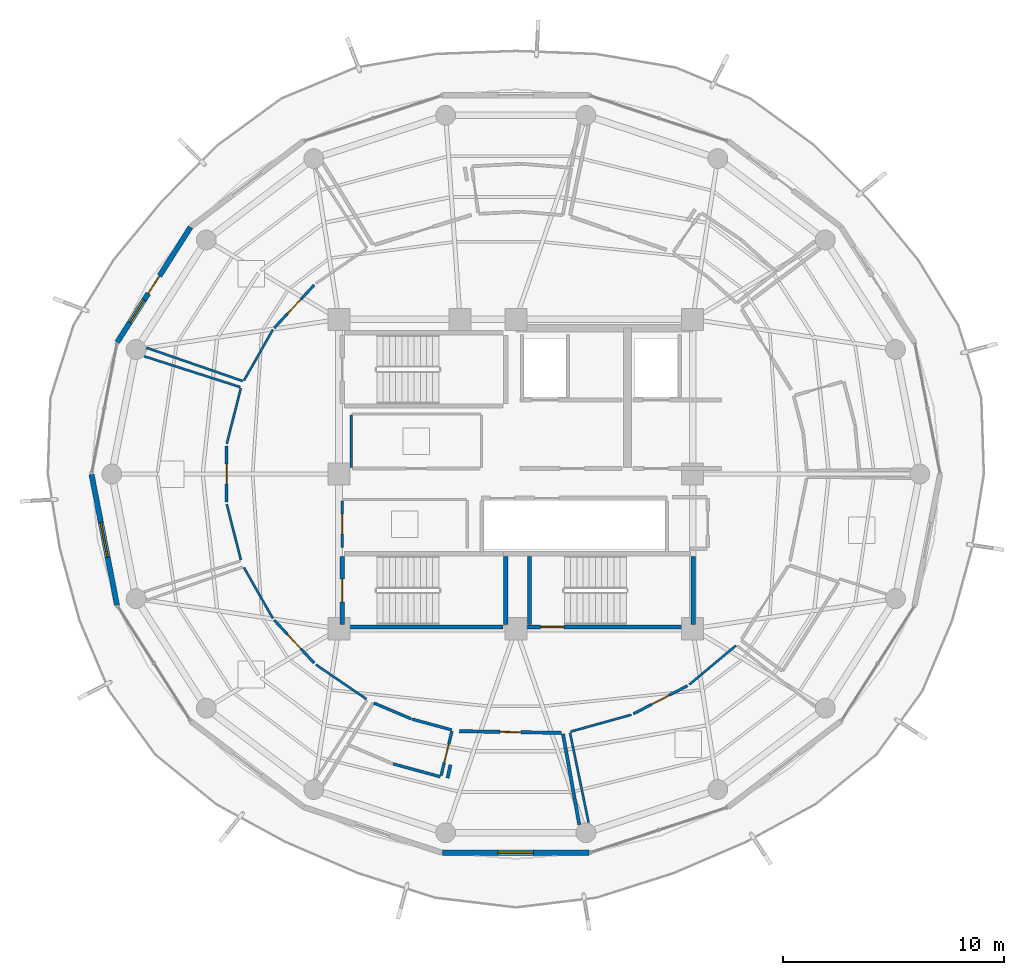
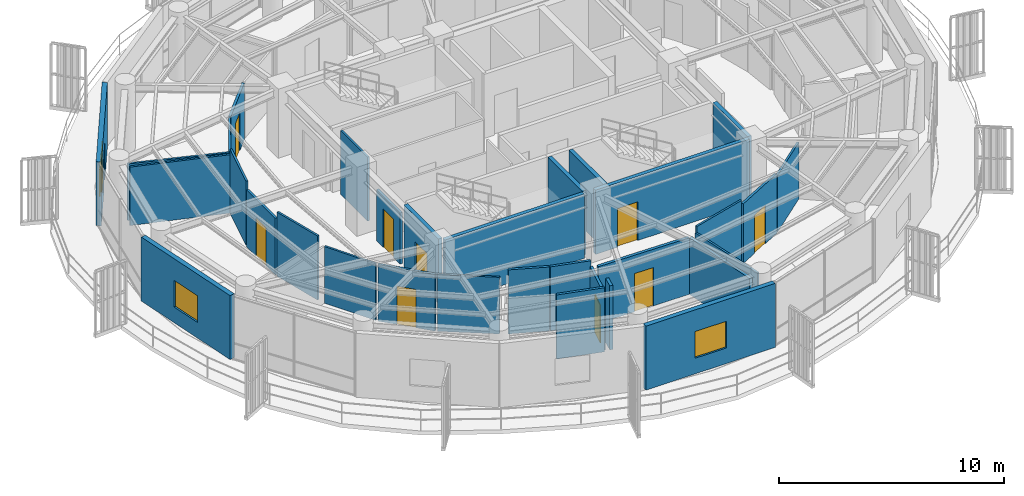
# One storey, part 16 of 23: 32 walls, 10 doors, 3 windows, 13 openings.
"""IFC4 building model written with IfcOpenShell, lengths in metres."""

import ifcopenshell
import ifcopenshell.guid

model = None  # the IFC model being written
_history = None  # IfcOwnerHistory: only IFC2X3 demands one
_inside = {}  # id of a spatial element -> (the spatial element, [elements in it])
_under = {}  # id of a project, library or spatial element -> (it, [spatial elements below it])
_declared = {}  # id of a project -> (the project, [libraries it declares])
_typed = {}  # id of a type object -> (the type object, [elements of that type])
_made_of = {}  # id of a material, layer set ... -> (it, [elements and type objects made of it])


def new_model(schema):
    """Start an empty IFC model of exactly this schema.

    Asked for "IFC4X3", IfcOpenShell would pick the latest addendum, in which some entities
    have other attributes; the version numbers below select the first issue.
    IFC2X3 requires an IfcOwnerHistory on every rooted entity: one is made here for all.
    """
    global model, _history
    if schema == "IFC4X3":
        model = ifcopenshell.file(schema_version=(4, 3, 0, 0))
    else:
        model = ifcopenshell.file(schema=schema)
    _inside.clear()
    _under.clear()
    _declared.clear()
    _typed.clear()
    _made_of.clear()
    _history = None
    if model.schema == "IFC2X3":
        org = make("IfcOrganization", Name="unknown")
        user = make(
            "IfcPersonAndOrganization",
            ThePerson=make("IfcPerson", FamilyName="unknown"),
            TheOrganization=org,
        )
        app = make(
            "IfcApplication",
            ApplicationDeveloper=org,
            Version="unknown",
            ApplicationFullName="unknown",
            ApplicationIdentifier="unknown",
        )
        _history = make(
            "IfcOwnerHistory",
            OwningUser=user,
            OwningApplication=app,
            ChangeAction="ADDED",
            CreationDate=0,
        )
    return model


def make(cls, **values):
    """One entity of the class cls with the attributes given. An attribute that is None is left unset."""
    return model.create_entity(
        cls, **{name: value for name, value in values.items() if value is not None}
    )


def rooted(cls, **values):
    """An entity with a GlobalId (a new one), such as an element, a storey or a relation."""
    return make(cls, GlobalId=ifcopenshell.guid.new(), OwnerHistory=_history, **values)


def si_unit(unit_type, name, prefix=None):
    """IfcSIUnit, for example si_unit("LENGTHUNIT", "METRE", prefix="MILLI")."""
    return make("IfcSIUnit", UnitType=unit_type, Prefix=prefix, Name=name)


def assignment(units):
    """IfcUnitAssignment: the units of a project."""
    return None if units is None else make("IfcUnitAssignment", Units=units)


def point(xyz):
    """IfcCartesianPoint."""
    return None if xyz is None else make("IfcCartesianPoint", Coordinates=xyz)


def direction(xyz):
    """IfcDirection."""
    return None if xyz is None else make("IfcDirection", DirectionRatios=xyz)


def frame(location, z_axis=None, x_axis=None):
    """IfcAxis2Placement3D, a coordinate frame: its origin and axes. An axis left out is left unset."""
    return make(
        "IfcAxis2Placement3D",
        Location=point(location),
        Axis=direction(z_axis),
        RefDirection=direction(x_axis),
    )


def frame_2d(location, x_axis=None):
    """IfcAxis2Placement2D, a coordinate frame in the plane: its origin and x axis."""
    return make(
        "IfcAxis2Placement2D", Location=point(location), RefDirection=direction(x_axis)
    )


def origin():
    """The frame at (0, 0, 0) with its axes left unset."""
    return frame((0.0, 0.0, 0.0))


def place(relative_to, where):
    """IfcLocalPlacement: puts the frame where relative to a parent placement (None: the world)."""
    return make(
        "IfcLocalPlacement", PlacementRelTo=relative_to, RelativePlacement=where
    )


def context(
    kind, dimensions, precision=None, world=None, true_north=None, identifier=None
):
    """IfcGeometricRepresentationContext, for example the 3D "Model" context."""
    return make(
        "IfcGeometricRepresentationContext",
        ContextIdentifier=identifier,
        ContextType=kind,
        CoordinateSpaceDimension=dimensions,
        Precision=precision,
        WorldCoordinateSystem=world,
        TrueNorth=true_north,
    )


def subcontext(parent, identifier, kind, view, scale=None):
    """IfcGeometricRepresentationSubContext, for example "Body" below "Model"."""
    return make(
        "IfcGeometricRepresentationSubContext",
        ContextIdentifier=identifier,
        ContextType=kind,
        ParentContext=parent,
        TargetScale=scale,
        TargetView=view,
    )


def project(units=None, contexts=None):
    """IfcProject with its units and contexts."""
    return rooted(
        "IfcProject",
        Name="project",
        RepresentationContexts=contexts,
        UnitsInContext=assignment(units),
    )


def spatial(cls, under=None, at=None, **own):
    """A site, building, storey or space (cls), placed at a placement, below another one or the project."""
    s = rooted(cls, ObjectPlacement=at, **own)
    if under is not None:
        _under.setdefault(under.id(), (under, []))[1].append(s)
    return s


def profile(cls, at=None, kind="AREA", **sizes):
    """A parametric profile (cls). Its sizes go by their IFC names, for example OverallWidth=200.0."""
    return make(cls, ProfileType=kind, Position=at, **sizes)


def rectangle(**sizes):
    """IfcRectangleProfileDef."""
    return profile("IfcRectangleProfileDef", **sizes)


def extrude(swept, where, along, depth):
    """IfcExtrudedAreaSolid: the profile swept, set in the frame where, extruded along a direction by depth."""
    return make(
        "IfcExtrudedAreaSolid",
        SweptArea=swept,
        Position=where,
        ExtrudedDirection=direction(along),
        Depth=depth,
    )


def shape(context_of_items, identifier, shape_type, items):
    """IfcShapeRepresentation: the items that make up one representation, for example the "Body"."""
    return make(
        "IfcShapeRepresentation",
        ContextOfItems=context_of_items,
        RepresentationIdentifier=identifier,
        RepresentationType=shape_type,
        Items=items,
    )


def material(Name=None, Category=None):
    """IfcMaterial."""
    return make("IfcMaterial", Name=Name, Category=Category)


def layer(
    of_material, thickness, ventilated=None, Name=None, Category=None, Priority=None
):
    """IfcMaterialLayer: one layer of a wall or slab, of a material (None: an air gap)."""
    return make(
        "IfcMaterialLayer",
        Material=of_material,
        LayerThickness=thickness,
        IsVentilated=ventilated,
        Name=Name,
        Category=Category,
        Priority=Priority,
    )


def layer_set(layers, Name=None):
    """IfcMaterialLayerSet."""
    return make("IfcMaterialLayerSet", MaterialLayers=layers, LayerSetName=Name)


def made_of(thing, what):
    """Note that an element or type object is made of a material, layer set ...; save() writes the relation."""
    if what is not None:
        _made_of.setdefault(what.id(), (what, []))[1].append(thing)
    return thing


def type_object(cls, material=None, **own):
    """A type object (cls), such as IfcWallType, which elements share."""
    return made_of(rooted(cls, **own), material)


def element(
    cls,
    number,
    at=None,
    inside=None,
    cuts=None,
    type_object=None,
    material=None,
    context=None,
    identifier="Body",
    shape_type=None,
    held_by="IfcProductDefinitionShape",
    body=None,
    shapes=None,
    **own,
):
    """One element of the class cls, such as IfcWall. Its Tag is "e" and its number.

    at: its placement. inside: the storey or other place that contains it. cuts: it is an
    opening in that element (IfcRelVoidsElement). A single representation is given by context,
    identifier, shape_type and body (its items); several are given by shapes. held_by: the class
    of the entity that holds the representations. save() writes the other relations.
    """
    e = rooted(cls, Tag="e%d" % number, ObjectPlacement=at, **own)
    if body is not None:
        shapes = [shape(context, identifier, shape_type, body)]
    if shapes is not None:
        e.Representation = make(held_by, Representations=shapes)
    if inside is not None:
        _inside.setdefault(inside.id(), (inside, []))[1].append(e)
    if cuts is not None:
        rooted(
            "IfcRelVoidsElement", RelatingBuildingElement=cuts, RelatedOpeningElement=e
        )
    if type_object is not None:
        _typed.setdefault(type_object.id(), (type_object, []))[1].append(e)
    return made_of(e, material)


def fill(opening, filler):
    """IfcRelFillsElement: the door or window that sits in an opening."""
    return rooted(
        "IfcRelFillsElement",
        RelatingOpeningElement=opening,
        RelatedBuildingElement=filler,
    )


def aggregate(whole, parts):
    """IfcRelAggregates: a whole, such as a stair, and the parts it consists of."""
    return rooted("IfcRelAggregates", RelatingObject=whole, RelatedObjects=parts)


def save(model, path):
    """Write the relations noted so far, then the file.

    IfcRelAggregates (storeys below a building ...), IfcRelContainedInSpatialStructure (elements
    in a storey), IfcRelDefinesByType, IfcRelAssociatesMaterial and IfcRelDeclares: one each for
    every whole, place, type object, material and project.
    """
    for whole, parts in _under.values():
        aggregate(whole, parts)
    for where, things in _inside.values():
        rooted(
            "IfcRelContainedInSpatialStructure",
            RelatedElements=things,
            RelatingStructure=where,
        )
    for kind, things in _typed.values():
        rooted("IfcRelDefinesByType", RelatedObjects=things, RelatingType=kind)
    for what, things in _made_of.values():
        rooted("IfcRelAssociatesMaterial", RelatedObjects=things, RelatingMaterial=what)
    for by, libraries in _declared.values():
        rooted("IfcRelDeclares", RelatingContext=by, RelatedDefinitions=libraries)
    model.write(path)


model = new_model("IFC4")

# Units and contexts
model_context = context("Model", 3, precision=1e-05, world=origin(), true_north=direction((0.0, 1.0)))
body_context = subcontext(model_context, "Body", "Model", "MODEL_VIEW")
ifc_project = project(units=[si_unit("LENGTHUNIT", "METRE"), si_unit("AREAUNIT", "SQUARE_METRE"), si_unit("VOLUMEUNIT", "CUBIC_METRE"), si_unit("PLANEANGLEUNIT", "RADIAN"), si_unit("MASSUNIT", "GRAM", prefix="KILO")], contexts=[model_context])

# Site, building, storey
site_placement = place(None, origin())
site = spatial("IfcSite", under=ifc_project, at=site_placement, CompositionType="ELEMENT")
building_placement = place(site_placement, origin())
building = spatial("IfcBuilding", under=site, at=building_placement, Name="Kelanora Arch Commons", CompositionType="ELEMENT")
storey_placement = place(building_placement, frame((0.0, 0.0, 256.199951171875)))
storey = spatial("IfcBuildingStorey", under=building, at=storey_placement, Name="L65", CompositionType="ELEMENT", Elevation=256.199951171875)

# Wall, opening, door
ifc_material_1 = material(Name="Autoclaved aerated concrete blockwork with fire plaster", Category="masonry")
ifc_layer_1 = layer(ifc_material_1, 0.14990234375)
ifc_layer_set_1 = layer_set([ifc_layer_1], Name="Autoclaved aerated concrete blockwork with fire plaster")
wall_type_1 = type_object("IfcWallType", Name="W-COMP-150", PredefinedType="PARTITIONING", material=ifc_layer_set_1)
wall_1_placement = place(storey_placement, frame((71.44189453125, 46.365966796875, 0.0), z_axis=(0.0, 0.0, 1.0), x_axis=(0.99985475278, -0.017043278545, 0.0)))
wall_1 = element("IfcWall", 1, at=wall_1_placement, inside=storey, type_object=wall_type_1, Name="Co-Living Studio L65-07 Entry Partition", PredefinedType="PARTITIONING", context=body_context, shape_type="SweptSolid", body=[
    extrude(rectangle(XDim=4.626953125, YDim=0.14990234375, at=frame_2d((2.3134765625, 0.0))), origin(), (0.0, 0.0, 1.0), 3.074951171875),
])
opening_1_placement = place(wall_1_placement, frame((1.837890625, 0.0, 0.0)))
opening_1 = element("IfcOpeningElement", 2, at=opening_1_placement, cuts=wall_1, Name="Opening D-CLU1", PredefinedType="OPENING", context=body_context, shape_type="SweptSolid", body=[
    extrude(rectangle(XDim=0.949951171875, YDim=2.080078125, at=frame_2d((0.47509765625, 1.0400390625))), frame((0.0, 0.0849609375, 0.0), z_axis=(0.0, -1.0, 0.0), x_axis=(1.0, 0.0, 0.0)), (0.0, 0.0, 1.0), 0.169921875),
])
ifc_material_2 = material(Name="Solid-core acoustic timber cluster entry fire door", Category="wood")
door_type_1 = type_object("IfcDoorType", Name="D-CLU-95", OperationType="NOTDEFINED", PredefinedType="DOOR", material=ifc_material_2)
door_1_placement = place(opening_1_placement, origin())
door_1 = element("IfcDoor", 3, at=door_1_placement, inside=storey, type_object=door_type_1, Name="Co-Living Studio L65-07 Door", OperationType="SINGLE_SWING_RIGHT", OverallHeight=2.080078125, OverallWidth=0.949951171875, PredefinedType="DOOR", context=body_context, shape_type="SweptSolid", body=[
    extrude(rectangle(XDim=0.949951171875, YDim=2.080078125, at=frame_2d((0.47509765625, 1.0400390625))), frame((0.0, 0.02490234375, 0.0), z_axis=(0.0, -1.0, 0.0), x_axis=(1.0, 0.0, 0.0)), (0.0, 0.0, 1.0), 0.050048828125),
])
fill(opening_1, door_1)

# Walls
wall_2_placement = place(storey_placement, frame((76.135009765625, 46.24658203125, 0.0), z_axis=(0.0, 0.0, 1.0), x_axis=(0.176199339585, -0.984354505618, 0.0)))
element("IfcWall", 4, at=wall_2_placement, inside=storey, type_object=wall_type_1, Name="Co-Living Studio L65-07 Enclosure Partition 2", PredefinedType="PARTITIONING", context=body_context, shape_type="SweptSolid", body=[
    extrude(rectangle(XDim=4.17626953125, YDim=0.14990234375, at=frame_2d((2.088134765625, 0.0))), origin(), (0.0, 0.0, 1.0), 3.074951171875),
])
wall_3_placement = place(storey_placement, frame((70.91064453125, 44.239990234375, 0.0), z_axis=(0.0, 0.0, 1.0), x_axis=(0.216216290924, 0.976345489844, 0.0)))
element("IfcWall", 5, at=wall_3_placement, inside=storey, type_object=wall_type_1, Name="Co-Living Studio L65-07 Enclosure Partition 7", PredefinedType="PARTITIONING", context=body_context, shape_type="SweptSolid", body=[
    extrude(rectangle(XDim=0.615478515625, YDim=0.14990234375, at=frame_2d((0.3076171875, 0.0))), origin(), (0.0, 0.0, 1.0), 3.47998046875),
])

# Wall, openings, door, window
ifc_material_3 = material(Name="Precast concrete C40/50 upper-zone terracotta rainscreen", Category="masonry")
ifc_layer_2 = layer(ifc_material_3, 0.239990234375)
ifc_layer_set_2 = layer_set([ifc_layer_2], Name="Precast concrete C40/50 upper-zone terracotta rainscreen")
wall_type_2 = type_object("IfcWallType", Name="W-EXT-TC2", PredefinedType="SOLIDWALL", material=ifc_layer_set_2)
wall_4_placement = place(storey_placement, frame((59.28369140625, 69.171875, 0.0), z_axis=(0.0, 0.0, 1.0), x_axis=(-0.537271968456, -0.843409053728, 0.0)))
wall_4 = element("IfcWall", 6, at=wall_4_placement, inside=storey, type_object=wall_type_2, Name="Terracotta Exterior Wall L65-B07", PredefinedType="SOLIDWALL", context=body_context, shape_type="SweptSolid", body=[
    extrude(rectangle(XDim=6.175048828125, YDim=0.239990234375, at=frame_2d((3.08740234375, 0.0))), origin(), (0.0, 0.0, 1.0), 3.47509765625),
])
opening_2_placement = place(wall_4_placement, frame((2.613037109375, 0.0, 0.0)))
opening_2 = element("IfcOpeningElement", 7, at=opening_2_placement, cuts=wall_4, Name="Opening DB-01", PredefinedType="OPENING", context=body_context, shape_type="SweptSolid", body=[
    extrude(rectangle(XDim=0.949951171875, YDim=2.10009765625, at=frame_2d((0.47509765625, 1.050048828125))), frame((0.0, 0.1298828125, 0.0), z_axis=(0.0, -1.0, 0.0), x_axis=(1.0, 0.0, 0.0)), (0.0, 0.0, 1.0), 0.260009765625),
])
opening_3_placement = place(wall_4_placement, frame((3.9130859375, 0.0, 0.85009765625)))
opening_3 = element("IfcOpeningElement", 8, at=opening_3_placement, cuts=wall_4, Name="Opening WN-02", PredefinedType="OPENING", context=body_context, shape_type="SweptSolid", body=[
    extrude(rectangle(XDim=1.199951171875, YDim=1.449951171875, at=frame_2d((0.60009765625, 0.72509765625))), frame((0.0, 0.1298828125, 0.0), z_axis=(0.0, -1.0, 0.0), x_axis=(1.0, 0.0, 0.0)), (0.0, 0.0, 1.0), 0.260009765625),
])
ifc_material_4 = material(Name="Terracotta-aluminium thermally broken glazed balcony door", Category="masonry")
door_type_2 = type_object("IfcDoorType", Name="D-BAL-10", OperationType="NOTDEFINED", PredefinedType="DOOR", material=ifc_material_4)
door_2_placement = place(opening_2_placement, frame((0.949951171875, 0.0, 0.0), z_axis=(0.0, 0.0, 1.0), x_axis=(-1.0, 0.0, 0.0)))
door_2 = element("IfcDoor", 9, at=door_2_placement, inside=storey, type_object=door_type_2, Name="Wave Balcony Door L65-B07", OperationType="SINGLE_SWING_LEFT", OverallHeight=2.10009765625, OverallWidth=0.949951171875, PredefinedType="DOOR", context=body_context, shape_type="SweptSolid", body=[
    extrude(rectangle(XDim=0.949951171875, YDim=2.10009765625, at=frame_2d((0.47509765625, 1.050048828125))), frame((0.0, 0.02490234375, 0.0), z_axis=(0.0, -1.0, 0.0), x_axis=(1.0, 0.0, 0.0)), (0.0, 0.0, 1.0), 0.050048828125),
])
fill(opening_2, door_2)
ifc_material_5 = material(Name="Terracotta-anodised aluminium frame with operable awning sash", Category="masonry")
window_type_1 = type_object("IfcWindowType", Name="WIN-CL-12", PartitioningType="SINGLE_PANEL", PredefinedType="WINDOW", material=ifc_material_5)
window_1_placement = place(opening_3_placement, origin())
window_1 = element("IfcWindow", 10, at=window_1_placement, inside=storey, type_object=window_type_1, Name="Co-Living Operable Window L65-B07", OverallHeight=1.449951171875, OverallWidth=1.199951171875, PartitioningType="SINGLE_PANEL", PredefinedType="WINDOW", context=body_context, shape_type="SweptSolid", body=[
    extrude(rectangle(XDim=1.199951171875, YDim=1.449951171875, at=frame_2d((0.60009765625, 0.72509765625))), frame((0.0, 0.030029296875, 0.0), z_axis=(0.0, -1.0, 0.0), x_axis=(1.0, 0.0, 0.0)), (0.0, 0.0, 1.0), 0.06005859375),
])
fill(opening_3, window_1)

# Wall, opening, window
wall_5_placement = place(storey_placement, frame((54.802978515625, 57.9853515625, 0.0), z_axis=(0.0, 0.0, 1.0), x_axis=(0.190969309115, -0.981596008028, 0.0)))
wall_5 = element("IfcWall", 11, at=wall_5_placement, inside=storey, type_object=wall_type_2, Name="Terracotta Exterior Wall L65-B09", PredefinedType="SOLIDWALL", context=body_context, shape_type="SweptSolid", body=[
    extrude(rectangle(XDim=6.032958984375, YDim=0.239990234375, at=frame_2d((3.0166015625, 0.0))), origin(), (0.0, 0.0, 1.0), 3.47509765625),
])
opening_4_placement = place(wall_5_placement, frame((2.216064453125, 0.0, 0.85009765625)))
opening_4 = element("IfcOpeningElement", 12, at=opening_4_placement, cuts=wall_5, Name="Opening WN-01", PredefinedType="OPENING", context=body_context, shape_type="SweptSolid", body=[
    extrude(rectangle(XDim=1.60009765625, YDim=1.449951171875, at=frame_2d((0.800048828125, 0.72509765625))), frame((0.0, 0.1298828125, 0.0), z_axis=(0.0, -1.0, 0.0), x_axis=(1.0, 0.0, 0.0)), (0.0, 0.0, 1.0), 0.260009765625),
])
ifc_material_6 = material(Name="Terracotta-anodised aluminium frame with operable low-E glazing", Category="masonry")
window_type_2 = type_object("IfcWindowType", Name="WIN-CL-18", PartitioningType="DOUBLE_PANEL_VERTICAL", PredefinedType="WINDOW", material=ifc_material_6)
window_2_placement = place(opening_4_placement, origin())
window_2 = element("IfcWindow", 13, at=window_2_placement, inside=storey, type_object=window_type_2, Name="Co-Living Operable Window L65-B09", OverallHeight=1.449951171875, OverallWidth=1.60009765625, PartitioningType="SINGLE_PANEL", PredefinedType="WINDOW", context=body_context, shape_type="SweptSolid", body=[
    extrude(rectangle(XDim=1.60009765625, YDim=1.449951171875, at=frame_2d((0.800048828125, 0.72509765625))), frame((0.0, 0.030029296875, 0.0), z_axis=(0.0, -1.0, 0.0), x_axis=(1.0, 0.0, 0.0)), (0.0, 0.0, 1.0), 0.06005859375),
])
fill(opening_4, window_2)

wall_6_placement = place(storey_placement, frame((70.680908203125, 40.8642578125, 0.0), z_axis=(0.0, 0.0, 1.0), x_axis=(1.0, 0.0, 0.0)))
wall_6 = element("IfcWall", 14, at=wall_6_placement, inside=storey, type_object=wall_type_2, Name="Terracotta Exterior Wall L65-B13", PredefinedType="SOLIDWALL", context=body_context, shape_type="SweptSolid", body=[
    extrude(rectangle(XDim=6.63818359375, YDim=0.239990234375, at=frame_2d((3.319091796875, 0.0))), origin(), (0.0, 0.0, 1.0), 3.47509765625),
])
opening_5_placement = place(wall_6_placement, frame((2.51904296875, 0.0, 0.85009765625)))
opening_5 = element("IfcOpeningElement", 15, at=opening_5_placement, cuts=wall_6, Name="Opening WN-01", PredefinedType="OPENING", context=body_context, shape_type="SweptSolid", body=[
    extrude(rectangle(XDim=1.60009765625, YDim=1.449951171875, at=frame_2d((0.800048828125, 0.72509765625))), frame((0.0, 0.1298828125, 0.0), z_axis=(0.0, -1.0, 0.0), x_axis=(1.0, 0.0, 0.0)), (0.0, 0.0, 1.0), 0.260009765625),
])
window_3_placement = place(opening_5_placement, origin())
window_3 = element("IfcWindow", 16, at=window_3_placement, inside=storey, type_object=window_type_2, Name="Co-Living Operable Window L65-B13", OverallHeight=1.449951171875, OverallWidth=1.60009765625, PartitioningType="SINGLE_PANEL", PredefinedType="WINDOW", context=body_context, shape_type="SweptSolid", body=[
    extrude(rectangle(XDim=1.60009765625, YDim=1.449951171875, at=frame_2d((0.800048828125, 0.72509765625))), frame((0.0, 0.030029296875, 0.0), z_axis=(0.0, -1.0, 0.0), x_axis=(1.0, 0.0, 0.0)), (0.0, 0.0, 1.0), 0.06005859375),
])
fill(opening_5, window_3)

# Walls
ifc_material_7 = material(Name="Lightweight fire-rated acoustic stud partition")
ifc_layer_3 = layer(ifc_material_7, 0.10009765625)
ifc_layer_set_3 = layer_set([ifc_layer_3], Name="Lightweight fire-rated acoustic stud partition")
wall_type_3 = type_object("IfcWallType", Name="W-PART-100", PredefinedType="PARTITIONING", material=ifc_layer_set_3)
wall_7_placement = place(storey_placement, frame((66.550048828125, 60.679931640625, 0.0), z_axis=(0.0, 0.0, 1.0), x_axis=(0.0, -1.0, 0.0)))
element("IfcWall", 17, at=wall_7_placement, inside=storey, type_object=wall_type_3, Name="Reclaimed Core Study Pod Lounge L65 Enclosure Partition 4", PredefinedType="PARTITIONING", context=body_context, shape_type="SweptSolid", body=[
    extrude(rectangle(XDim=2.389892578125, YDim=0.10009765625, at=frame_2d((1.19482421875, 0.0))), origin(), (0.0, 0.0, 1.0), 3.47998046875),
])
wall_8_placement = place(storey_placement, frame((63.006103515625, 64.5283203125, 0.0), z_axis=(0.0, 0.0, 1.0), x_axis=(-0.494277588427, -0.869304127207, 0.0)))
element("IfcWall", 18, at=wall_8_placement, inside=storey, type_object=wall_type_3, Name="Communal Dining and Social Hall L65-04 Enclosure Partition 3", PredefinedType="PARTITIONING", context=body_context, shape_type="SweptSolid", body=[
    extrude(rectangle(XDim=2.64306640625, YDim=0.10009765625, at=frame_2d((1.321533203125, 0.0))), origin(), (0.0, 0.0, 1.0), 3.074951171875),
])
wall_9_placement = place(storey_placement, frame((61.64208984375, 62.208984375, 0.0), z_axis=(0.0, 0.0, 1.0), x_axis=(-0.945103281494, 0.326771766388, 0.0)))
element("IfcWall", 19, at=wall_9_placement, inside=storey, type_object=wall_type_3, Name="Communal Dining and Social Hall L65-04 Enclosure Partition 4", PredefinedType="PARTITIONING", context=body_context, shape_type="SweptSolid", body=[
    extrude(rectangle(XDim=4.603759765625, YDim=0.10009765625, at=frame_2d((2.3017578125, 0.0))), origin(), (0.0, 0.0, 1.0), 3.074951171875),
])
for number, where, z_axis, x_axis, name in (
    (20, (61.560302734375, 61.88427734375, 0.0), (0.0, 0.0, 1.0), (-0.245655775867, -0.969357127061, 0.0), "Social Sky Lounge L65-05 Enclosure Partition 1"),
    (21, (60.9228515625, 56.631103515625, 0.0), (0.0, 0.0, 1.0), (0.245655775867, -0.969357127061, 0.0), "Social Sky Lounge L65-05 Enclosure Partition 3"),
):
    element("IfcWall", number, at=place(storey_placement, frame(where, z_axis=z_axis, x_axis=x_axis)), inside=storey, type_object=wall_type_3, Name=name, PredefinedType="PARTITIONING", context=body_context, shape_type="SweptSolid", body=[
        extrude(rectangle(XDim=2.594970703125, YDim=0.10009765625, at=frame_2d((1.29736328125, 0.0))), origin(), (0.0, 0.0, 1.0), 3.47998046875),
    ])
wall_10_placement = place(storey_placement, frame((57.184326171875, 63.328857421875, 0.0), z_axis=(0.0, 0.0, 1.0), x_axis=(0.95227750557, -0.305233602976, 0.0)))
element("IfcWall", 22, at=wall_10_placement, inside=storey, type_object=wall_type_3, Name="Social Sky Lounge L65-05 Enclosure Partition 8", PredefinedType="PARTITIONING", context=body_context, shape_type="SweptSolid", body=[
    extrude(rectangle(XDim=4.5654296875, YDim=0.10009765625, at=frame_2d((2.28271484375, 0.0))), origin(), (0.0, 0.0, 1.0), 3.175048828125),
])
wall_11_placement = place(storey_placement, frame((61.69970703125, 53.769287109375, 0.0), z_axis=(0.0, 0.0, 1.0), x_axis=(0.494277588427, -0.869304127207, 0.0)))
element("IfcWall", 23, at=wall_11_placement, inside=storey, type_object=wall_type_3, Name="Quiet Seminar Study Room L65-06 Enclosure Partition 1", PredefinedType="PARTITIONING", context=body_context, shape_type="SweptSolid", body=[
    extrude(rectangle(XDim=2.64306640625, YDim=0.10009765625, at=frame_2d((1.321533203125, 0.0))), origin(), (0.0, 0.0, 1.0), 3.074951171875),
])
wall_12_placement = place(storey_placement, frame((64.9560546875, 49.37646484375, 0.0), z_axis=(0.0, 0.0, 1.0), x_axis=(0.826087380575, -0.563542047814, 0.0)))
element("IfcWall", 24, at=wall_12_placement, inside=storey, type_object=wall_type_3, Name="Quiet Seminar Study Room L65-06 Enclosure Partition 3", PredefinedType="PARTITIONING", context=body_context, shape_type="SweptSolid", body=[
    extrude(rectangle(XDim=2.768310546875, YDim=0.10009765625, at=frame_2d((1.38427734375, 0.0))), origin(), (0.0, 0.0, 1.0), 3.074951171875),
])
wall_13_placement = place(storey_placement, frame((76.4833984375, 46.3466796875, 0.0), z_axis=(0.0, 0.0, 1.0), x_axis=(0.963478601256, 0.267785333659, 0.0)))
element("IfcWall", 25, at=wall_13_placement, inside=storey, type_object=wall_type_3, Name="Communal Dining and Social Hall L65-08 Enclosure Partition 1", PredefinedType="PARTITIONING", context=body_context, shape_type="SweptSolid", body=[
    extrude(rectangle(XDim=2.84814453125, YDim=0.10009765625, at=frame_2d((1.424072265625, 0.0))), origin(), (0.0, 0.0, 1.0), 3.47998046875),
])
wall_14_placement = place(storey_placement, frame((81.851806640625, 48.4755859375, 0.0), z_axis=(0.0, 0.0, 1.0), x_axis=(0.767022676895, 0.641619991216, 0.0)))
element("IfcWall", 26, at=wall_14_placement, inside=storey, type_object=wall_type_3, Name="Communal Dining and Social Hall L65-08 Enclosure Partition 3", PredefinedType="PARTITIONING", context=body_context, shape_type="SweptSolid", body=[
    extrude(rectangle(XDim=2.7412109375, YDim=0.10009765625, at=frame_2d((1.37060546875, 0.0))), origin(), (0.0, 0.0, 1.0), 3.074951171875),
])
wall_15_placement = place(storey_placement, frame((77.293212890625, 42.230224609375, 0.0), z_axis=(0.0, 0.0, 1.0), x_axis=(-0.202308141573, 0.979321916355, 0.0)))
element("IfcWall", 27, at=wall_15_placement, inside=storey, type_object=wall_type_3, Name="Communal Dining and Social Hall L65-08 Enclosure Partition 8", PredefinedType="PARTITIONING", context=body_context, shape_type="SweptSolid", body=[
    extrude(rectangle(XDim=4.152587890625, YDim=0.10009765625, at=frame_2d((2.076171875, 0.0))), origin(), (0.0, 0.0, 1.0), 3.175048828125),
])

# Wall, opening, door
ifc_material_8 = material(Name="Acoustic twin-stud fire-rated gypsum partition")
ifc_layer_4 = layer(ifc_material_8, 0.1201171875)
ifc_layer_set_4 = layer_set([ifc_layer_4], Name="Acoustic twin-stud fire-rated gypsum partition")
wall_type_4 = type_object("IfcWallType", Name="W-PART-120", PredefinedType="PARTITIONING", material=ifc_layer_set_4)
wall_16_placement = place(storey_placement, frame((66.14990234375, 54.679931640625, 0.0), z_axis=(0.0, 0.0, 1.0), x_axis=(0.0, 1.0, 0.0)))
wall_16 = element("IfcWall", 28, at=wall_16_placement, inside=storey, type_object=wall_type_4, Name="Reclaimed Core High-Zone Pantry and Copy Room L65 Entry Partition", PredefinedType="PARTITIONING", context=body_context, shape_type="SweptSolid", body=[
    extrude(rectangle(XDim=2.110107421875, YDim=0.1201171875, at=frame_2d((1.05517578125, 0.0))), origin(), (0.0, 0.0, 1.0), 2.775146484375),
])
opening_6_placement = place(wall_16_placement, frame((0.60498046875, 0.0, 0.0)))
opening_6 = element("IfcOpeningElement", 29, at=opening_6_placement, cuts=wall_16, Name="Opening D-RM1", PredefinedType="OPENING", context=body_context, shape_type="SweptSolid", body=[
    extrude(rectangle(XDim=0.89990234375, YDim=2.080078125, at=frame_2d((0.449951171875, 1.0400390625))), frame((0.0, 0.070068359375, 0.0), z_axis=(0.0, -1.0, 0.0), x_axis=(1.0, 0.0, 0.0)), (0.0, 0.0, 1.0), 0.14013671875),
])
ifc_material_9 = material(Name="Acoustic fire-rated timber study and lounge door", Category="wood")
door_type_3 = type_object("IfcDoorType", Name="D-ROOM-90", OperationType="NOTDEFINED", PredefinedType="DOOR", material=ifc_material_9)
door_3_placement = place(opening_6_placement, origin())
door_3 = element("IfcDoor", 30, at=door_3_placement, inside=storey, type_object=door_type_3, Name="Reclaimed Core High-Zone Pantry and Copy Room L65 Door", OperationType="SINGLE_SWING_LEFT", OverallHeight=2.080078125, OverallWidth=0.89990234375, PredefinedType="DOOR", context=body_context, shape_type="SweptSolid", body=[
    extrude(rectangle(XDim=0.89990234375, YDim=2.080078125, at=frame_2d((0.449951171875, 1.0400390625))), frame((0.0, 0.02490234375, 0.0), z_axis=(0.0, -1.0, 0.0), x_axis=(1.0, 0.0, 0.0)), (0.0, 0.0, 1.0), 0.050048828125),
])
fill(opening_6, door_3)

wall_17_placement = place(storey_placement, frame((64.882080078125, 66.55712890625, 0.0), z_axis=(0.0, 0.0, 1.0), x_axis=(-0.681315269885, -0.731990097625, 0.0)))
wall_17 = element("IfcWall", 31, at=wall_17_placement, inside=storey, type_object=wall_type_4, Name="Communal Dining and Social Hall L65-04 Entry Partition", PredefinedType="PARTITIONING", context=body_context, shape_type="SweptSolid", body=[
    extrude(rectangle(XDim=2.664306640625, YDim=0.1201171875, at=frame_2d((1.33203125, 0.0))), origin(), (0.0, 0.0, 1.0), 3.074951171875),
])
opening_7_placement = place(wall_17_placement, frame((0.882080078125, 0.0, 0.0)))
opening_7 = element("IfcOpeningElement", 32, at=opening_7_placement, cuts=wall_17, Name="Opening D-RM1", PredefinedType="OPENING", context=body_context, shape_type="SweptSolid", body=[
    extrude(rectangle(XDim=0.89990234375, YDim=2.080078125, at=frame_2d((0.449951171875, 1.0400390625))), frame((0.0, 0.070068359375, 0.0), z_axis=(0.0, -1.0, 0.0), x_axis=(1.0, 0.0, 0.0)), (0.0, 0.0, 1.0), 0.14013671875),
])
door_4_placement = place(opening_7_placement, origin())
door_4 = element("IfcDoor", 33, at=door_4_placement, inside=storey, type_object=door_type_3, Name="Communal Dining and Social Hall L65-04 Door", OperationType="SINGLE_SWING_RIGHT", OverallHeight=2.080078125, OverallWidth=0.89990234375, PredefinedType="DOOR", context=body_context, shape_type="SweptSolid", body=[
    extrude(rectangle(XDim=0.89990234375, YDim=2.080078125, at=frame_2d((0.449951171875, 1.0400390625))), frame((0.0, 0.02490234375, 0.0), z_axis=(0.0, -1.0, 0.0), x_axis=(1.0, 0.0, 0.0)), (0.0, 0.0, 1.0), 0.050048828125),
])
fill(opening_7, door_4)

wall_18_placement = place(storey_placement, frame((60.9130859375, 59.27001953125, 0.0), z_axis=(0.0, 0.0, 1.0), x_axis=(0.0, -1.0, 0.0)))
wall_18 = element("IfcWall", 34, at=wall_18_placement, inside=storey, type_object=wall_type_4, Name="Social Sky Lounge L65-05 Entry Partition", PredefinedType="PARTITIONING", context=body_context, shape_type="SweptSolid", body=[
    extrude(rectangle(XDim=2.5400390625, YDim=0.1201171875, at=frame_2d((1.27001953125, 0.0))), origin(), (0.0, 0.0, 1.0), 3.074951171875),
])
opening_8_placement = place(wall_18_placement, frame((0.820068359375, 0.0, 0.0)))
opening_8 = element("IfcOpeningElement", 35, at=opening_8_placement, cuts=wall_18, Name="Opening D-RM1", PredefinedType="OPENING", context=body_context, shape_type="SweptSolid", body=[
    extrude(rectangle(XDim=0.89990234375, YDim=2.080078125, at=frame_2d((0.449951171875, 1.0400390625))), frame((0.0, 0.070068359375, 0.0), z_axis=(0.0, -1.0, 0.0), x_axis=(1.0, 0.0, 0.0)), (0.0, 0.0, 1.0), 0.14013671875),
])
door_5_placement = place(opening_8_placement, origin())
door_5 = element("IfcDoor", 36, at=door_5_placement, inside=storey, type_object=door_type_3, Name="Social Sky Lounge L65-05 Door", OperationType="SINGLE_SWING_LEFT", OverallHeight=2.080078125, OverallWidth=0.89990234375, PredefinedType="DOOR", context=body_context, shape_type="SweptSolid", body=[
    extrude(rectangle(XDim=0.89990234375, YDim=2.080078125, at=frame_2d((0.449951171875, 1.0400390625))), frame((0.0, 0.02490234375, 0.0), z_axis=(0.0, -1.0, 0.0), x_axis=(1.0, 0.0, 0.0)), (0.0, 0.0, 1.0), 0.050048828125),
])
fill(opening_8, door_5)

wall_19_placement = place(storey_placement, frame((63.06689453125, 51.39306640625, 0.0), z_axis=(0.0, 0.0, 1.0), x_axis=(0.681315269885, -0.731990097625, 0.0)))
wall_19 = element("IfcWall", 37, at=wall_19_placement, inside=storey, type_object=wall_type_4, Name="Quiet Seminar Study Room L65-06 Entry Partition", PredefinedType="PARTITIONING", context=body_context, shape_type="SweptSolid", body=[
    extrude(rectangle(XDim=2.664306640625, YDim=0.1201171875, at=frame_2d((1.33203125, 0.0))), origin(), (0.0, 0.0, 1.0), 3.074951171875),
])
opening_9_placement = place(wall_19_placement, frame((0.882080078125, 0.0, 0.0)))
opening_9 = element("IfcOpeningElement", 38, at=opening_9_placement, cuts=wall_19, Name="Opening D-RM1", PredefinedType="OPENING", context=body_context, shape_type="SweptSolid", body=[
    extrude(rectangle(XDim=0.89990234375, YDim=2.080078125, at=frame_2d((0.449951171875, 1.0400390625))), frame((0.0, 0.070068359375, 0.0), z_axis=(0.0, -1.0, 0.0), x_axis=(1.0, 0.0, 0.0)), (0.0, 0.0, 1.0), 0.14013671875),
])
door_6_placement = place(opening_9_placement, origin())
door_6 = element("IfcDoor", 39, at=door_6_placement, inside=storey, type_object=door_type_3, Name="Quiet Seminar Study Room L65-06 Door", OperationType="SINGLE_SWING_RIGHT", OverallHeight=2.080078125, OverallWidth=0.89990234375, PredefinedType="DOOR", context=body_context, shape_type="SweptSolid", body=[
    extrude(rectangle(XDim=0.89990234375, YDim=2.080078125, at=frame_2d((0.449951171875, 1.0400390625))), frame((0.0, 0.02490234375, 0.0), z_axis=(0.0, -1.0, 0.0), x_axis=(1.0, 0.0, 0.0)), (0.0, 0.0, 1.0), 0.050048828125),
])
fill(opening_9, door_6)

wall_20_placement = place(storey_placement, frame((79.319091796875, 47.147705078125, 0.0), z_axis=(0.0, 0.0, 1.0), x_axis=(0.887021247279, 0.461728607382, 0.0)))
wall_20 = element("IfcWall", 40, at=wall_20_placement, inside=storey, type_object=wall_type_4, Name="Communal Dining and Social Hall L65-08 Entry Partition", PredefinedType="PARTITIONING", context=body_context, shape_type="SweptSolid", body=[
    extrude(rectangle(XDim=2.7607421875, YDim=0.1201171875, at=frame_2d((1.38037109375, 0.0))), origin(), (0.0, 0.0, 1.0), 3.235107421875),
])
opening_10_placement = place(wall_20_placement, frame((0.929931640625, 0.0, 0.0)))
opening_10 = element("IfcOpeningElement", 41, at=opening_10_placement, cuts=wall_20, Name="Opening D-RM1", PredefinedType="OPENING", context=body_context, shape_type="SweptSolid", body=[
    extrude(rectangle(XDim=0.89990234375, YDim=2.080078125, at=frame_2d((0.449951171875, 1.0400390625))), frame((0.0, 0.070068359375, 0.0), z_axis=(0.0, -1.0, 0.0), x_axis=(1.0, 0.0, 0.0)), (0.0, 0.0, 1.0), 0.14013671875),
])
door_7_placement = place(opening_10_placement, origin())
door_7 = element("IfcDoor", 42, at=door_7_placement, inside=storey, type_object=door_type_3, Name="Communal Dining and Social Hall L65-08 Door", OperationType="SINGLE_SWING_LEFT", OverallHeight=2.080078125, OverallWidth=0.89990234375, PredefinedType="DOOR", context=body_context, shape_type="SweptSolid", body=[
    extrude(rectangle(XDim=0.89990234375, YDim=2.080078125, at=frame_2d((0.449951171875, 1.0400390625))), frame((0.0, 0.02490234375, 0.0), z_axis=(0.0, -1.0, 0.0), x_axis=(1.0, 0.0, 0.0)), (0.0, 0.0, 1.0), 0.050048828125),
])
fill(opening_10, door_7)

ifc_material_10 = material(Name="Concrete C40/50", Category="concrete")
ifc_layer_5 = layer(ifc_material_10, 0.199951171875)
ifc_layer_set_5 = layer_set([ifc_layer_5], Name="Concrete C40/50")
wall_type_5 = type_object("IfcWallType", Name="W-STAIR-200", PredefinedType="SHEAR", material=ifc_layer_set_5)
wall_21_placement = place(storey_placement, frame((74.0, 51.080078125, 0.0), z_axis=(0.0, 0.0, 1.0), x_axis=(1.0, 0.0, 0.0)))
wall_21 = element("IfcWall", 43, at=wall_21_placement, inside=storey, type_object=wall_type_5, Name="Stair ST-T2 Shaft Wall S L65", PredefinedType="SHEAR", context=body_context, shape_type="SweptSolid", body=[
    extrude(rectangle(XDim=7.89990234375, YDim=0.199951171875, at=frame_2d((3.949951171875, 0.0))), origin(), (0.0, 0.0, 1.0), 3.489990234375),
])
opening_11_placement = place(wall_21_placement, frame((1.1201171875, 0.0, 0.0)))
opening_11 = element("IfcOpeningElement", 44, at=opening_11_placement, cuts=wall_21, Name="Opening D-ST1", PredefinedType="OPENING", context=body_context, shape_type="SweptSolid", body=[
    extrude(rectangle(XDim=1.050048828125, YDim=2.10009765625, at=frame_2d((0.52490234375, 1.050048828125))), frame((0.0, 0.10986328125, 0.0), z_axis=(0.0, -1.0, 0.0), x_axis=(1.0, 0.0, 0.0)), (0.0, 0.0, 1.0), 0.219970703125),
])
ifc_material_11 = material(Name="Steel fire-rated stairwell escape door", Category="steel")
door_type_4 = type_object("IfcDoorType", Name="D-STAIR-110", OperationType="NOTDEFINED", PredefinedType="DOOR", material=ifc_material_11)
door_8_placement = place(opening_11_placement, origin())
door_8 = element("IfcDoor", 45, at=door_8_placement, inside=storey, type_object=door_type_4, Name="Stair ST-T2 Escape Door L65", OperationType="SINGLE_SWING_LEFT", OverallHeight=2.10009765625, OverallWidth=1.050048828125, PredefinedType="DOOR", context=body_context, shape_type="SweptSolid", body=[
    extrude(rectangle(XDim=1.050048828125, YDim=2.10009765625, at=frame_2d((0.52490234375, 1.050048828125))), frame((0.0, 0.02490234375, 0.0), z_axis=(0.0, -1.0, 0.0), x_axis=(1.0, 0.0, 0.0)), (0.0, 0.0, 1.0), 0.050048828125),
])
fill(opening_11, door_8)

# Walls
for number, where, z_axis, x_axis, name in (
    (46, (82.02001953125, 51.199951171875, 0.0), (0.0, 0.0, 1.0), (0.0, 1.0, 0.0), "Stair ST-T2 Shaft Wall E L65"),
    (47, (74.6201171875, 54.27001953125, 0.0), (0.0, 0.0, 1.0), (0.0, -1.0, 0.0), "Stair ST-T2 Shaft Wall W L65"),
):
    element("IfcWall", number, at=place(storey_placement, frame(where, z_axis=z_axis, x_axis=x_axis)), inside=storey, type_object=wall_type_5, Name=name, PredefinedType="SHEAR", context=body_context, shape_type="SweptSolid", body=[
        extrude(rectangle(XDim=3.070068359375, YDim=0.199951171875, at=frame_2d((1.53515625, 0.0))), origin(), (0.0, 0.0, 1.0), 3.489990234375),
    ])
wall_22_placement = place(storey_placement, frame((66.260009765625, 51.080078125, 0.0), z_axis=(0.0, 0.0, 1.0), x_axis=(1.0, 0.0, 0.0)))
element("IfcWall", 48, at=wall_22_placement, inside=storey, type_object=wall_type_5, Name="Stair ST-T3 Shaft Wall S L65", PredefinedType="SHEAR", context=body_context, shape_type="SweptSolid", body=[
    extrude(rectangle(XDim=7.159912109375, YDim=0.199951171875, at=frame_2d((3.580078125, 0.0))), origin(), (0.0, 0.0, 1.0), 3.489990234375),
])
wall_23_placement = place(storey_placement, frame((73.5400390625, 51.199951171875, 0.0), z_axis=(0.0, 0.0, 1.0), x_axis=(0.0, 1.0, 0.0)))
element("IfcWall", 49, at=wall_23_placement, inside=storey, type_object=wall_type_5, Name="Stair ST-T3 Shaft Wall E L65", PredefinedType="SHEAR", context=body_context, shape_type="SweptSolid", body=[
    extrude(rectangle(XDim=3.070068359375, YDim=0.199951171875, at=frame_2d((1.53515625, 0.0))), origin(), (0.0, 0.0, 1.0), 3.489990234375),
])

# Wall, opening, door
wall_24_placement = place(storey_placement, frame((66.139892578125, 54.27001953125, 0.0), z_axis=(0.0, 0.0, 1.0), x_axis=(0.0, -1.0, 0.0)))
wall_24 = element("IfcWall", 50, at=wall_24_placement, inside=storey, type_object=wall_type_5, Name="Stair ST-T3 Shaft Wall W L65", PredefinedType="SHEAR", context=body_context, shape_type="SweptSolid", body=[
    extrude(rectangle(XDim=3.070068359375, YDim=0.199951171875, at=frame_2d((1.53515625, 0.0))), origin(), (0.0, 0.0, 1.0), 3.489990234375),
])
opening_12_placement = place(wall_24_placement, frame((1.010009765625, 0.0, 0.0)))
opening_12 = element("IfcOpeningElement", 51, at=opening_12_placement, cuts=wall_24, Name="Opening D-ST1", PredefinedType="OPENING", context=body_context, shape_type="SweptSolid", body=[
    extrude(rectangle(XDim=1.050048828125, YDim=2.10009765625, at=frame_2d((0.52490234375, 1.050048828125))), frame((0.0, 0.10986328125, 0.0), z_axis=(0.0, -1.0, 0.0), x_axis=(1.0, 0.0, 0.0)), (0.0, 0.0, 1.0), 0.219970703125),
])
door_9_placement = place(opening_12_placement, origin())
door_9 = element("IfcDoor", 52, at=door_9_placement, inside=storey, type_object=door_type_4, Name="Stair ST-T3 Escape Door L65", OperationType="SINGLE_SWING_LEFT", OverallHeight=2.10009765625, OverallWidth=1.050048828125, PredefinedType="DOOR", context=body_context, shape_type="SweptSolid", body=[
    extrude(rectangle(XDim=1.050048828125, YDim=2.10009765625, at=frame_2d((0.52490234375, 1.050048828125))), frame((0.0, 0.02490234375, 0.0), z_axis=(0.0, -1.0, 0.0), x_axis=(1.0, 0.0, 0.0)), (0.0, 0.0, 1.0), 0.050048828125),
])
fill(opening_12, door_9)

ifc_material_12 = material(Name="Moisture-resistant fire-rated cement-board plumbing wall")
ifc_layer_6 = layer(ifc_material_12, 0.1298828125)
ifc_layer_set_6 = layer_set([ifc_layer_6], Name="Moisture-resistant fire-rated cement-board plumbing wall")
wall_type_6 = type_object("IfcWallType", Name="W-WET-120", PredefinedType="PLUMBINGWALL", material=ifc_layer_set_6)
wall_25_placement = place(storey_placement, frame((71.108642578125, 46.358642578125, 0.0), z_axis=(0.0, 0.0, 1.0), x_axis=(-0.237485395018, -0.971391109262, 0.0)))
wall_25 = element("IfcWall", 53, at=wall_25_placement, inside=storey, type_object=wall_type_6, Name="En-Suite Shower WC L65-07 Entry Partition", PredefinedType="PLUMBINGWALL", context=body_context, shape_type="SweptSolid", body=[
    extrude(rectangle(XDim=2.06005859375, YDim=0.1298828125, at=frame_2d((1.030029296875, 0.0))), origin(), (0.0, 0.0, 1.0), 3.175048828125),
])
opening_13_placement = place(wall_25_placement, frame((0.60009765625, 0.0, 0.0)))
opening_13 = element("IfcOpeningElement", 54, at=opening_13_placement, cuts=wall_25, Name="Opening D-BT1", PredefinedType="OPENING", context=body_context, shape_type="SweptSolid", body=[
    extrude(rectangle(XDim=0.860107421875, YDim=2.050048828125, at=frame_2d((0.43017578125, 1.02490234375))), frame((0.0, 0.074951171875, 0.0), z_axis=(0.0, -1.0, 0.0), x_axis=(1.0, 0.0, 0.0)), (0.0, 0.0, 1.0), 0.14990234375),
])
ifc_material_13 = material(Name="Moisture-sealed fire-rated accessible bathroom door")
door_type_5 = type_object("IfcDoorType", Name="D-BATH-85", OperationType="NOTDEFINED", PredefinedType="DOOR", material=ifc_material_13)
door_10_placement = place(opening_13_placement, origin())
door_10 = element("IfcDoor", 55, at=door_10_placement, inside=storey, type_object=door_type_5, Name="En-Suite Shower WC L65-07 Door", OperationType="SINGLE_SWING_LEFT", OverallHeight=2.050048828125, OverallWidth=0.860107421875, PredefinedType="DOOR", context=body_context, shape_type="SweptSolid", body=[
    extrude(rectangle(XDim=0.860107421875, YDim=2.050048828125, at=frame_2d((0.43017578125, 1.02490234375))), frame((0.0, 0.02490234375, 0.0), z_axis=(0.0, -1.0, 0.0), x_axis=(1.0, 0.0, 0.0)), (0.0, 0.0, 1.0), 0.050048828125),
])
fill(opening_13, door_10)

# Walls
wall_26_placement = place(storey_placement, frame((67.573486328125, 47.64111328125, 0.0), z_axis=(0.0, 0.0, 1.0), x_axis=(0.920910556575, -0.389773968845, 0.0)))
element("IfcWall", 56, at=wall_26_placement, inside=storey, type_object=wall_type_6, Name="En-Suite Shower WC L65-07 Enclosure Partition 1", PredefinedType="PLUMBINGWALL", context=body_context, shape_type="SweptSolid", body=[
    extrude(rectangle(XDim=1.8427734375, YDim=0.1298828125, at=frame_2d((0.92138671875, 0.0))), origin(), (0.0, 0.0, 1.0), 3.47998046875),
])
wall_27_placement = place(storey_placement, frame((69.308349609375, 46.909912109375, 0.0), z_axis=(0.0, 0.0, 1.0), x_axis=(0.96501774213, -0.262184586453, 0.0)))
element("IfcWall", 57, at=wall_27_placement, inside=storey, type_object=wall_type_6, Name="En-Suite Shower WC L65-07 Enclosure Partition 2", PredefinedType="PLUMBINGWALL", context=body_context, shape_type="SweptSolid", body=[
    extrude(rectangle(XDim=1.860595703125, YDim=0.1298828125, at=frame_2d((0.93017578125, 0.0))), origin(), (0.0, 0.0, 1.0), 3.47998046875),
])
wall_28_placement = place(storey_placement, frame((70.585693359375, 44.30419921875, 0.0), z_axis=(0.0, 0.0, 1.0), x_axis=(-0.96480470919, 0.262967437384, 0.0)))
element("IfcWall", 58, at=wall_28_placement, inside=storey, type_object=wall_type_6, Name="En-Suite Shower WC L65-07 Enclosure Partition 4", PredefinedType="PLUMBINGWALL", context=body_context, shape_type="SweptSolid", body=[
    extrude(rectangle(XDim=2.2041015625, YDim=0.1298828125, at=frame_2d((1.10205078125, 0.0))), origin(), (0.0, 0.0, 1.0), 3.47998046875),
])

save(model, "model.ifc")
